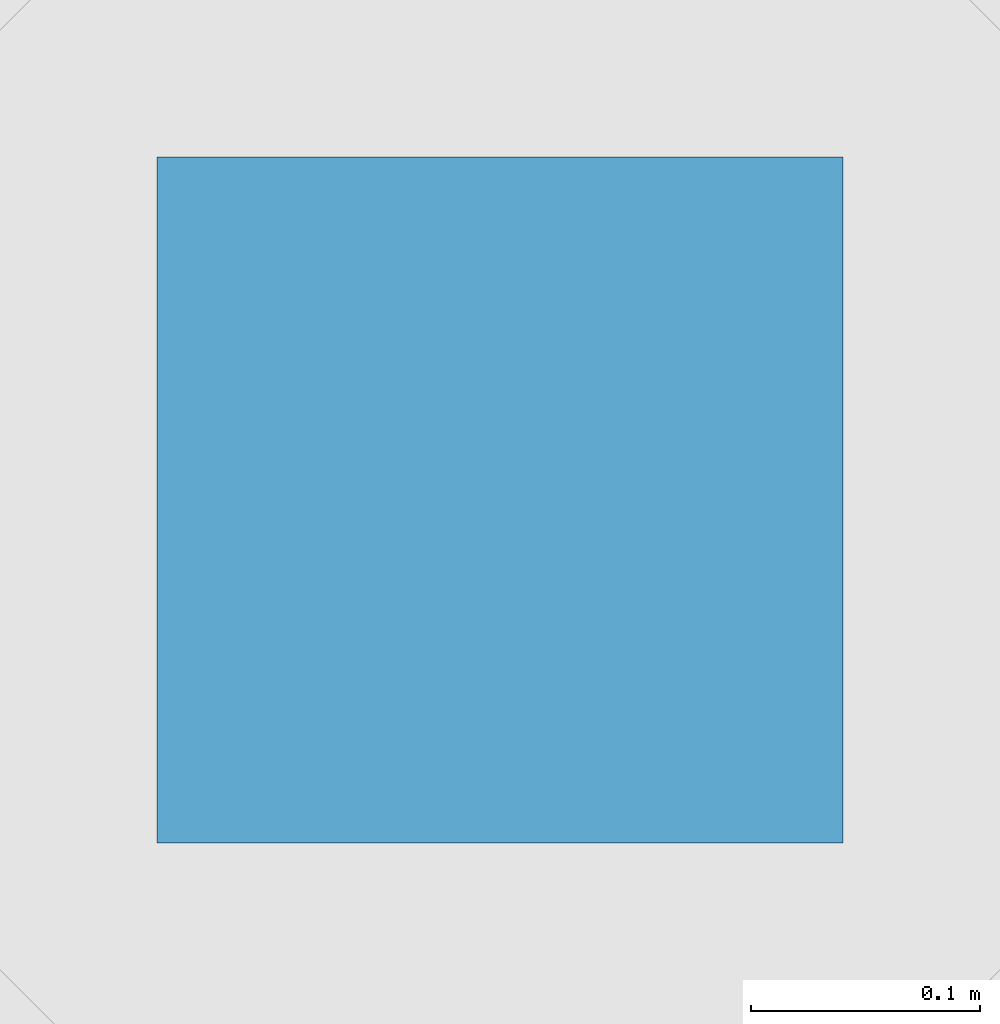
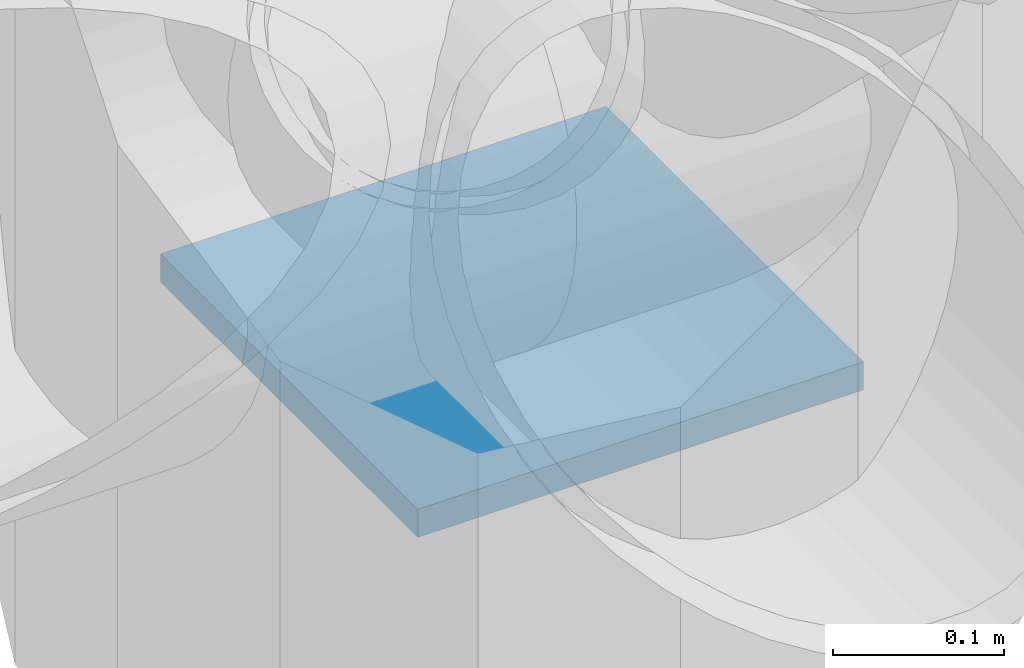
# One storey, part 351 of 437: 1 discrete accessory.
"""IFC4 building model written with IfcOpenShell, lengths in metres."""

from ifc_helpers import new_model, si_unit, direction, frame, origin, origin_2d, place, context, subcontext, project, spatial, rectangle, extrude, material, layer, layer_set, type_object, element, save


model = new_model("IFC4")

# Units and contexts
model_context = context("Model", 3, precision=1e-05, world=origin(), true_north=direction((0.0, 1.0)))
body_context = subcontext(model_context, "Body", "Model", "MODEL_VIEW")
ifc_project = project(units=[si_unit("LENGTHUNIT", "METRE"), si_unit("AREAUNIT", "SQUARE_METRE"), si_unit("VOLUMEUNIT", "CUBIC_METRE"), si_unit("PLANEANGLEUNIT", "RADIAN"), si_unit("MASSUNIT", "GRAM", prefix="KILO")], contexts=[model_context])

# Site, building, storey
site_placement = place(None, origin())
site = spatial("IfcSite", under=ifc_project, at=site_placement, CompositionType="ELEMENT")
building_placement = place(site_placement, origin())
building = spatial("IfcBuilding", under=site, at=building_placement, Name="Opaline Strait Convention Centre", CompositionType="ELEMENT")
storey_placement = place(building_placement, frame((0.0, 0.0, 11.5)))
storey = spatial("IfcBuildingStorey", under=building, at=storey_placement, Name="L02", CompositionType="ELEMENT", Elevation=11.5)

# Discrete accessory
ifc_material = material(Name="Steel Q355B", Category="steel")
ifc_layer = layer(ifc_material, 0.02001953125)
ifc_layer_set = layer_set([ifc_layer], Name="Steel Q355B")
discrete_accessory_type = type_object("IfcDiscreteAccessoryType", Name="Cast-in anchor plate 300 x 300 x 20", PredefinedType="ANCHORPLATE", material=ifc_layer_set)
discrete_accessory_placement = place(storey_placement, frame((126.0, 72.0, 12.305419921875), z_axis=(0.0, 0.0, 1.0), x_axis=(1.0, 0.0, 0.0)))
element("IfcDiscreteAccessory", 1, at=discrete_accessory_placement, inside=storey, type_object=discrete_accessory_type, Name="Cast-in anchor plate at the Hall south wall, web ends at 126", PredefinedType="ANCHORPLATE", context=body_context, shape_type="SweptSolid", body=[
    extrude(rectangle(XDim=0.300048828125, YDim=0.300048828125, at=origin_2d()), origin(), (0.0, 0.0, 1.0), 0.02001953125),
])

save(model, "model.ifc")
